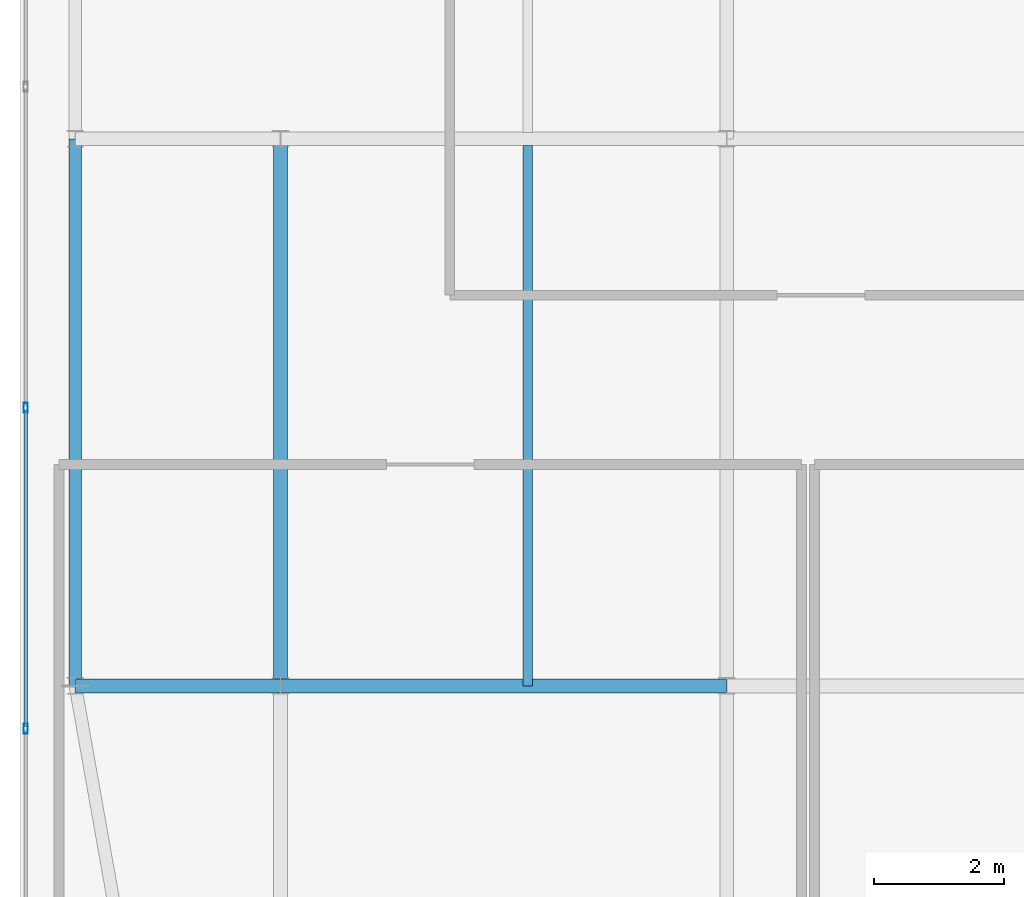
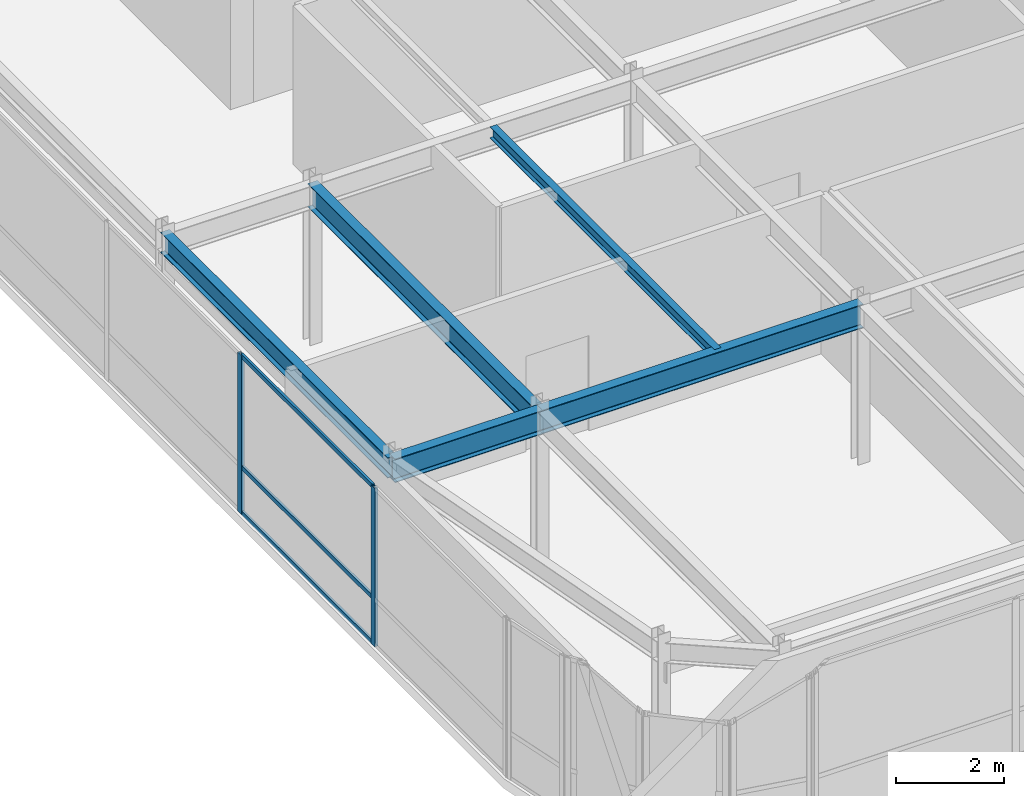
# One storey, part 8 of 36: 5 beams, 5 members, 1 element without a shape of its own.
"""IFC4 building model written with IfcOpenShell, lengths in metres."""

from ifc_helpers import new_model, si_unit, direction, frame, origin, origin_2d, place, context, subcontext, project, spatial, hollow_rectangle, i_section, extrude, source, transform, mapped, material, layer, layer_set, material_profile, profile_set, type_object, type_shapes, element, aggregate, save


model = new_model("IFC4")

# Units and contexts
model_context = context("Model", 3, precision=1e-05, world=origin(), true_north=direction((0.0, 1.0)))
body_context = subcontext(model_context, "Body", "Model", "MODEL_VIEW")
ifc_project = project(units=[si_unit("LENGTHUNIT", "METRE"), si_unit("AREAUNIT", "SQUARE_METRE"), si_unit("VOLUMEUNIT", "CUBIC_METRE"), si_unit("PLANEANGLEUNIT", "RADIAN"), si_unit("MASSUNIT", "GRAM", prefix="KILO")], contexts=[model_context])

# Site, building, storey
site_placement = place(None, origin())
site = spatial("IfcSite", under=ifc_project, at=site_placement, CompositionType="ELEMENT")
building_placement = place(site_placement, origin())
building = spatial("IfcBuilding", under=site, at=building_placement, Name="Tolvann Quenvar Hotel", CompositionType="ELEMENT")
storey_placement = place(building_placement, frame((0.0, 0.0, 302.35009765625)))
storey = spatial("IfcBuildingStorey", under=building, at=storey_placement, Name="L80", CompositionType="ELEMENT", Elevation=302.35009765625)

# Beams
ifc_material_1 = material(Name="Steel Grade 350", Category="steel")
ifc_material_profile_1 = material_profile(ifc_material_1, i_section(OverallWidth=0.208984375, OverallDepth=0.532958984375, WebThickness=0.01025390625, FlangeThickness=0.015625, FilletRadius=0.013916015625, at=origin_2d()), Name="530UB92")
ifc_profile_set_1 = profile_set([ifc_material_profile_1], Name="Steel Grade 350")
beam_type_1 = type_object("IfcBeamType", Name="BM_GIRD_530UB92", PredefinedType="BEAM", material=ifc_profile_set_1)
shared_shape_1 = source(origin(), body_context, "Body", "SweptSolid", [
    extrude(i_section(OverallWidth=0.208984375, OverallDepth=0.532958984375, WebThickness=0.01025390625, FlangeThickness=0.015625, FilletRadius=0.013916015625, at=origin_2d()), origin(), (0.0, 0.0, 1.0), 8.39990234375),
])
beam_1_placement = place(storey_placement, frame((7.60009765625, 16.0, 3.3134765625), z_axis=(0.0, 1.0, 0.0), x_axis=(-1.0, 0.0, 0.0)))
element("IfcBeam", 1, at=beam_1_placement, inside=storey, type_object=beam_type_1, Name="BM-L80-NS-C4-C5", PredefinedType="BEAM", context=body_context, shape_type="MappedRepresentation", body=[
    mapped(shared_shape_1, transform((0.0, 0.0, 0.0), x_axis=(1.0, 0.0, 0.0), y_axis=(0.0, 1.0, 0.0), z_axis=(0.0, 0.0, 1.0), scale=1.0)),
])
ifc_material_profile_2 = material_profile(ifc_material_1, i_section(OverallWidth=0.19091796875, OverallDepth=0.4599609375, WebThickness=0.010009765625, FlangeThickness=0.01611328125, FilletRadius=0.011474609375, at=origin_2d()), Name="460UB82")
ifc_profile_set_2 = profile_set([ifc_material_profile_2], Name="Steel Grade 350")
beam_type_2 = type_object("IfcBeamType", Name="BM_SPAND_460UB82", PredefinedType="SPANDREL", material=ifc_profile_set_2)
shared_shape_2 = source(origin(), body_context, "Body", "SweptSolid", [
    extrude(i_section(OverallWidth=0.19091796875, OverallDepth=0.4599609375, WebThickness=0.010009765625, FlangeThickness=0.01611328125, FilletRadius=0.011474609375, at=origin_2d()), origin(), (0.0, 0.0, 1.0), 8.39990234375),
])
type_shapes(beam_type_2, [shared_shape_2])
beam_2_placement = place(storey_placement, frame((4.449951171875, 16.0, 3.349853515625), z_axis=(0.0, 1.0, 0.0), x_axis=(-1.0, 0.0, 0.0)))
element("IfcBeam", 2, at=beam_2_placement, inside=storey, type_object=beam_type_2, Name="BM-L80-NS-B4-B5", PredefinedType="SPANDREL", context=body_context, shape_type="MappedRepresentation", body=[
    mapped(shared_shape_2, transform((0.0, 0.0, 0.0), x_axis=(1.0, 0.0, 0.0), y_axis=(0.0, 1.0, 0.0), z_axis=(0.0, 0.0, 1.0), scale=1.0)),
])
shared_shape_3 = source(origin(), body_context, "Body", "SweptSolid", [
    extrude(i_section(OverallWidth=0.208984375, OverallDepth=0.532958984375, WebThickness=0.01025390625, FlangeThickness=0.015625, FilletRadius=0.013916015625, at=origin_2d()), origin(), (0.0, 0.0, 1.0), 6.849853515625),
])
beam_3_placement = place(storey_placement, frame((7.60009765625, 16.0, 3.3134765625), z_axis=(1.0, 0.0, 0.0), x_axis=(0.0, 1.0, 0.0)))
element("IfcBeam", 3, at=beam_3_placement, inside=storey, type_object=beam_type_1, Name="BM-L80-EW-4-C4-D4", PredefinedType="BEAM", context=body_context, shape_type="MappedRepresentation", body=[
    mapped(shared_shape_3, transform((0.0, 0.0, 0.0), x_axis=(1.0, 0.0, 0.0), y_axis=(0.0, 1.0, 0.0), z_axis=(0.0, 0.0, 1.0), scale=1.0)),
])
shared_shape_4 = source(origin(), body_context, "Body", "SweptSolid", [
    extrude(i_section(OverallWidth=0.208984375, OverallDepth=0.532958984375, WebThickness=0.01025390625, FlangeThickness=0.015625, FilletRadius=0.013916015625, at=origin_2d()), origin(), (0.0, 0.0, 1.0), 3.150146484375),
])
type_shapes(beam_type_1, [shared_shape_1, shared_shape_3, shared_shape_4])
beam_4_placement = place(storey_placement, frame((4.449951171875, 16.0, 3.3134765625), z_axis=(1.0, 0.0, 0.0), x_axis=(0.0, 1.0, 0.0)))
element("IfcBeam", 4, at=beam_4_placement, inside=storey, type_object=beam_type_1, Name="BM-L80-EW-4-B4-C4", PredefinedType="BEAM", context=body_context, shape_type="MappedRepresentation", body=[
    mapped(shared_shape_4, transform((0.0, 0.0, 0.0), x_axis=(1.0, 0.0, 0.0), y_axis=(0.0, 1.0, 0.0), z_axis=(0.0, 0.0, 1.0), scale=1.0)),
])
ifc_material_profile_3 = material_profile(ifc_material_1, i_section(OverallWidth=0.14599609375, OverallDepth=0.256103515625, WebThickness=0.00634765625, FlangeThickness=0.010986328125, FilletRadius=0.0087890625, at=origin_2d()), Name="250UB37")
ifc_profile_set_3 = profile_set([ifc_material_profile_3], Name="Steel Grade 350")
beam_type_3 = type_object("IfcBeamType", Name="BM_JOIST_250UB37", PredefinedType="JOIST", material=ifc_profile_set_3)
shared_shape_5 = source(origin(), body_context, "Body", "SweptSolid", [
    extrude(i_section(OverallWidth=0.14599609375, OverallDepth=0.256103515625, WebThickness=0.00634765625, FlangeThickness=0.010986328125, FilletRadius=0.0087890625, at=origin_2d()), origin(), (0.0, 0.0, 1.0), 8.301513671875),
])
type_shapes(beam_type_3, [shared_shape_5])
beam_5_placement = place(storey_placement, frame((11.39990234375, 16.0, 3.451904296875), z_axis=(0.0, 1.0, 0.0), x_axis=(-1.0, 0.0, 0.0)))
element("IfcBeam", 5, at=beam_5_placement, inside=storey, type_object=beam_type_3, Name="BJ-L80-114-160", PredefinedType="JOIST", context=body_context, shape_type="MappedRepresentation", body=[
    mapped(shared_shape_5, transform((0.0, 0.0, 0.0), x_axis=(1.0, 0.0, 0.0), y_axis=(0.0, 1.0, 0.0), z_axis=(0.0, 0.0, 1.0), scale=1.0)),
])

# Curtain wall, members
ifc_material_2 = material(Name="Thermally broken anodised architectural aluminium 6063-T6 and laminated low-E glass", Category="aluminium")
ifc_layer = layer(ifc_material_2, 0.179931640625)
ifc_layer_set = layer_set([ifc_layer], Name="Thermally broken anodised architectural aluminium 6063-T6 and laminated low-E glass")
curtain_wall_type = type_object("IfcCurtainWallType", Name="CW_SYS_LANT_06", PredefinedType="USERDEFINED", material=ifc_layer_set)
curtain_wall_placement = place(storey_placement, origin())
curtain_wall = element("IfcCurtainWall", 6, at=curtain_wall_placement, inside=storey, type_object=curtain_wall_type, Name="Curtain Wall CW-LANT-06 (CWR-L80-E19)", ObjectType="UNITISED CURTAIN WALL", PredefinedType="USERDEFINED")
ifc_material_3 = material(Name="Anodised architectural aluminium 6063-T6 framing", Category="aluminium")
ifc_material_profile_4 = material_profile(ifc_material_3, hollow_rectangle(XDim=0.050048828125, YDim=0.10009765625, WallThickness=0.0029296875, at=origin_2d()), Name="100x50x3RHS")
ifc_profile_set_4 = profile_set([ifc_material_profile_4], Name="Anodised architectural aluminium 6063-T6 framing")
member_type_1 = type_object("IfcMemberType", Name="CW_TRAN_100x50", PredefinedType="USERDEFINED", material=ifc_profile_set_4)
shared_shape_6 = source(origin(), body_context, "Body", "SweptSolid", [
    extrude(hollow_rectangle(XDim=0.050048828125, YDim=0.10009765625, WallThickness=0.0029296875, at=origin_2d()), origin(), (0.0, 0.0, 1.0), 4.86279296875),
])
type_shapes(member_type_1, [shared_shape_6])
member_1_placement = place(storey_placement, frame((3.68994140625, 20.239990234375, 0.02490234375), z_axis=(0.0, -1.0, 0.0), x_axis=(1.0, 0.0, 0.0)))
member_1 = element("IfcMember", 7, at=member_1_placement, type_object=member_type_1, Name="CW-LANT-06 transom 5.1", ObjectType="TRANSOM", PredefinedType="USERDEFINED", context=body_context, shape_type="MappedRepresentation", body=[
    mapped(shared_shape_6, transform((0.0, 0.0, 0.0), x_axis=(1.0, 0.0, 0.0), y_axis=(0.0, 1.0, 0.0), z_axis=(0.0, 0.0, 1.0), scale=1.0)),
])
member_2_placement = place(storey_placement, frame((3.68994140625, 20.239990234375, 1.0498046875), z_axis=(0.0, -1.0, 0.0), x_axis=(1.0, 0.0, 0.0)))
member_2 = element("IfcMember", 8, at=member_2_placement, type_object=member_type_1, Name="CW-LANT-06 transom 5.2", ObjectType="TRANSOM", PredefinedType="USERDEFINED", context=body_context, shape_type="MappedRepresentation", body=[
    mapped(shared_shape_6, transform((0.0, 0.0, 0.0), x_axis=(1.0, 0.0, 0.0), y_axis=(0.0, 1.0, 0.0), z_axis=(0.0, 0.0, 1.0), scale=1.0)),
])
member_3_placement = place(storey_placement, frame((3.68994140625, 20.239990234375, 3.554931640625), z_axis=(0.0, -1.0, 0.0), x_axis=(1.0, 0.0, 0.0)))
member_3 = element("IfcMember", 9, at=member_3_placement, type_object=member_type_1, Name="CW-LANT-06 transom 5.3", ObjectType="TRANSOM", PredefinedType="USERDEFINED", context=body_context, shape_type="MappedRepresentation", body=[
    mapped(shared_shape_6, transform((0.0, 0.0, 0.0), x_axis=(1.0, 0.0, 0.0), y_axis=(0.0, 1.0, 0.0), z_axis=(0.0, 0.0, 1.0), scale=1.0)),
])
ifc_material_profile_5 = material_profile(ifc_material_3, hollow_rectangle(XDim=0.06494140625, YDim=0.14990234375, WallThickness=0.00390625, at=origin_2d()), Name="150x65x4RHS")
ifc_profile_set_5 = profile_set([ifc_material_profile_5], Name="Anodised architectural aluminium 6063-T6 framing")
member_type_2 = type_object("IfcMemberType", Name="CW_MULL_150x65", PredefinedType="MULLION", material=ifc_profile_set_5)
shared_shape_7 = source(origin(), body_context, "Body", "SweptSolid", [
    extrude(hollow_rectangle(XDim=0.06494140625, YDim=0.14990234375, WallThickness=0.00390625, at=origin_2d()), origin(), (0.0, 0.0, 1.0), 3.579833984375),
])
type_shapes(member_type_2, [shared_shape_7])
member_4_placement = place(storey_placement, frame((3.68994140625, 20.2724609375, 0.0), z_axis=(0.0, 0.0, 1.0), x_axis=(1.0, 0.0, 0.0)))
member_4 = element("IfcMember", 10, at=member_4_placement, type_object=member_type_2, Name="CW-LANT-06 mullion 5", PredefinedType="MULLION", context=body_context, shape_type="MappedRepresentation", body=[
    mapped(shared_shape_7, transform((0.0, 0.0, 0.0), x_axis=(1.0, 0.0, 0.0), y_axis=(0.0, 1.0, 0.0), z_axis=(0.0, 0.0, 1.0), scale=1.0)),
])
member_5_placement = place(storey_placement, frame((3.68994140625, 15.3447265625, 0.0), z_axis=(0.0, 0.0, 1.0), x_axis=(1.0, 0.0, 0.0)))
member_5 = element("IfcMember", 11, at=member_5_placement, type_object=member_type_2, Name="CW-LANT-06 mullion 6", PredefinedType="MULLION", context=body_context, shape_type="MappedRepresentation", body=[
    mapped(shared_shape_7, transform((0.0, 0.0, 0.0), x_axis=(1.0, 0.0, 0.0), y_axis=(0.0, 1.0, 0.0), z_axis=(0.0, 0.0, 1.0), scale=1.0)),
])
aggregate(curtain_wall, [member_4, member_5, member_1, member_2, member_3])

save(model, "model.ifc")
